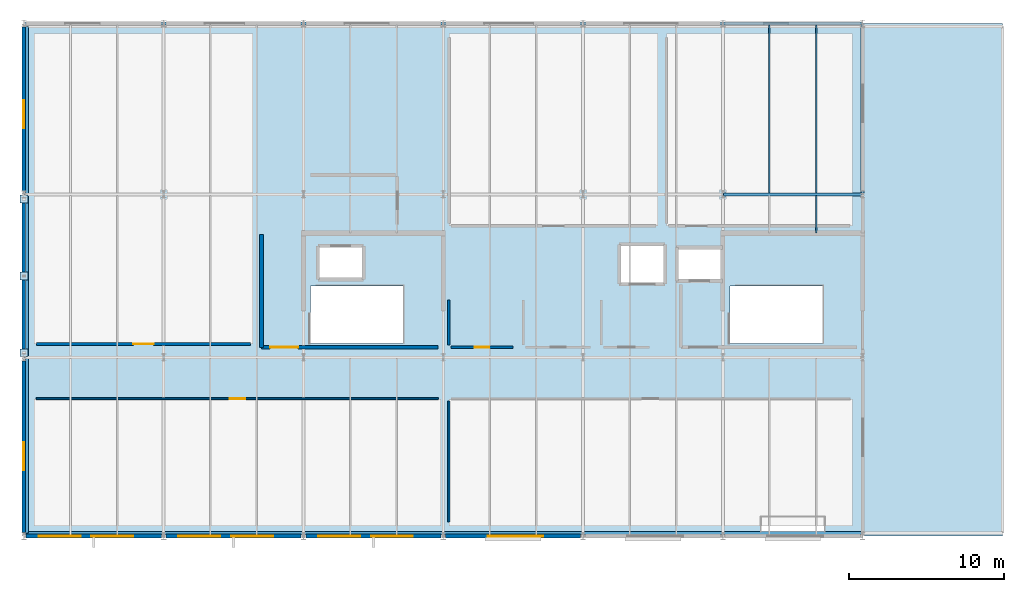
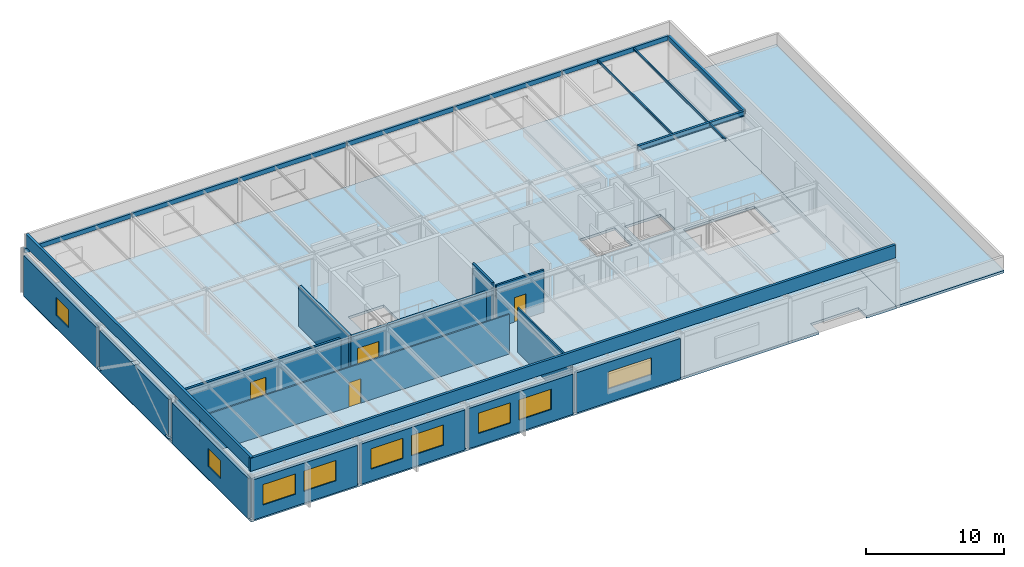
# One storey, part 6 of 14: 16 walls, 11 beams, 9 windows, 4 doors, 3 plates, 2 slabs, 13 openings.
"""IFC4 building model written with IfcOpenShell, lengths in metres."""

import ifcopenshell
import ifcopenshell.guid

model = None  # the IFC model being written
_history = None  # IfcOwnerHistory: only IFC2X3 demands one
_inside = {}  # id of a spatial element -> (the spatial element, [elements in it])
_under = {}  # id of a project, library or spatial element -> (it, [spatial elements below it])
_declared = {}  # id of a project -> (the project, [libraries it declares])
_typed = {}  # id of a type object -> (the type object, [elements of that type])
_made_of = {}  # id of a material, layer set ... -> (it, [elements and type objects made of it])


def new_model(schema):
    """Start an empty IFC model of exactly this schema.

    Asked for "IFC4X3", IfcOpenShell would pick the latest addendum, in which some entities
    have other attributes; the version numbers below select the first issue.
    IFC2X3 requires an IfcOwnerHistory on every rooted entity: one is made here for all.
    """
    global model, _history
    if schema == "IFC4X3":
        model = ifcopenshell.file(schema_version=(4, 3, 0, 0))
    else:
        model = ifcopenshell.file(schema=schema)
    _inside.clear()
    _under.clear()
    _declared.clear()
    _typed.clear()
    _made_of.clear()
    _history = None
    if model.schema == "IFC2X3":
        org = make("IfcOrganization", Name="unknown")
        user = make(
            "IfcPersonAndOrganization",
            ThePerson=make("IfcPerson", FamilyName="unknown"),
            TheOrganization=org,
        )
        app = make(
            "IfcApplication",
            ApplicationDeveloper=org,
            Version="unknown",
            ApplicationFullName="unknown",
            ApplicationIdentifier="unknown",
        )
        _history = make(
            "IfcOwnerHistory",
            OwningUser=user,
            OwningApplication=app,
            ChangeAction="ADDED",
            CreationDate=0,
        )
    return model


def make(cls, **values):
    """One entity of the class cls with the attributes given. An attribute that is None is left unset."""
    return model.create_entity(
        cls, **{name: value for name, value in values.items() if value is not None}
    )


def rooted(cls, **values):
    """An entity with a GlobalId (a new one), such as an element, a storey or a relation."""
    return make(cls, GlobalId=ifcopenshell.guid.new(), OwnerHistory=_history, **values)


def si_unit(unit_type, name, prefix=None):
    """IfcSIUnit, for example si_unit("LENGTHUNIT", "METRE", prefix="MILLI")."""
    return make("IfcSIUnit", UnitType=unit_type, Prefix=prefix, Name=name)


def assignment(units):
    """IfcUnitAssignment: the units of a project."""
    return None if units is None else make("IfcUnitAssignment", Units=units)


def point(xyz):
    """IfcCartesianPoint."""
    return None if xyz is None else make("IfcCartesianPoint", Coordinates=xyz)


def direction(xyz):
    """IfcDirection."""
    return None if xyz is None else make("IfcDirection", DirectionRatios=xyz)


def frame(location, z_axis=None, x_axis=None):
    """IfcAxis2Placement3D, a coordinate frame: its origin and axes. An axis left out is left unset."""
    return make(
        "IfcAxis2Placement3D",
        Location=point(location),
        Axis=direction(z_axis),
        RefDirection=direction(x_axis),
    )


def frame_2d(location, x_axis=None):
    """IfcAxis2Placement2D, a coordinate frame in the plane: its origin and x axis."""
    return make(
        "IfcAxis2Placement2D", Location=point(location), RefDirection=direction(x_axis)
    )


def origin():
    """The frame at (0, 0, 0) with its axes left unset."""
    return frame((0.0, 0.0, 0.0))


def origin_2d():
    """The frame at (0, 0) in the plane with its x axis left unset."""
    return frame_2d((0.0, 0.0))


def place(relative_to, where):
    """IfcLocalPlacement: puts the frame where relative to a parent placement (None: the world)."""
    return make(
        "IfcLocalPlacement", PlacementRelTo=relative_to, RelativePlacement=where
    )


def context(
    kind, dimensions, precision=None, world=None, true_north=None, identifier=None
):
    """IfcGeometricRepresentationContext, for example the 3D "Model" context."""
    return make(
        "IfcGeometricRepresentationContext",
        ContextIdentifier=identifier,
        ContextType=kind,
        CoordinateSpaceDimension=dimensions,
        Precision=precision,
        WorldCoordinateSystem=world,
        TrueNorth=true_north,
    )


def subcontext(parent, identifier, kind, view, scale=None):
    """IfcGeometricRepresentationSubContext, for example "Body" below "Model"."""
    return make(
        "IfcGeometricRepresentationSubContext",
        ContextIdentifier=identifier,
        ContextType=kind,
        ParentContext=parent,
        TargetScale=scale,
        TargetView=view,
    )


def project(units=None, contexts=None):
    """IfcProject with its units and contexts."""
    return rooted(
        "IfcProject",
        Name="project",
        RepresentationContexts=contexts,
        UnitsInContext=assignment(units),
    )


def spatial(cls, under=None, at=None, **own):
    """A site, building, storey or space (cls), placed at a placement, below another one or the project."""
    s = rooted(cls, ObjectPlacement=at, **own)
    if under is not None:
        _under.setdefault(under.id(), (under, []))[1].append(s)
    return s


def polyline(points):
    """IfcPolyline through the points."""
    return make("IfcPolyline", Points=[point(p) for p in points])


def profile(cls, at=None, kind="AREA", **sizes):
    """A parametric profile (cls). Its sizes go by their IFC names, for example OverallWidth=200.0."""
    return make(cls, ProfileType=kind, Position=at, **sizes)


def rectangle(**sizes):
    """IfcRectangleProfileDef."""
    return profile("IfcRectangleProfileDef", **sizes)


def hollow_rectangle(**sizes):
    """IfcRectangleHollowProfileDef."""
    return profile("IfcRectangleHollowProfileDef", **sizes)


def i_section(**sizes):
    """IfcIShapeProfileDef."""
    return profile("IfcIShapeProfileDef", **sizes)


def outline(outer, holes=None, kind="AREA"):
    """IfcArbitraryClosedProfileDef: a profile drawn as a closed curve; with holes, ...WithVoids."""
    if holes is None:
        return make("IfcArbitraryClosedProfileDef", ProfileType=kind, OuterCurve=outer)
    return make(
        "IfcArbitraryProfileDefWithVoids",
        ProfileType=kind,
        OuterCurve=outer,
        InnerCurves=holes,
    )


def extrude(swept, where, along, depth):
    """IfcExtrudedAreaSolid: the profile swept, set in the frame where, extruded along a direction by depth."""
    return make(
        "IfcExtrudedAreaSolid",
        SweptArea=swept,
        Position=where,
        ExtrudedDirection=direction(along),
        Depth=depth,
    )


def shape(context_of_items, identifier, shape_type, items):
    """IfcShapeRepresentation: the items that make up one representation, for example the "Body"."""
    return make(
        "IfcShapeRepresentation",
        ContextOfItems=context_of_items,
        RepresentationIdentifier=identifier,
        RepresentationType=shape_type,
        Items=items,
    )


def material(Name=None, Category=None):
    """IfcMaterial."""
    return make("IfcMaterial", Name=Name, Category=Category)


def layer(
    of_material, thickness, ventilated=None, Name=None, Category=None, Priority=None
):
    """IfcMaterialLayer: one layer of a wall or slab, of a material (None: an air gap)."""
    return make(
        "IfcMaterialLayer",
        Material=of_material,
        LayerThickness=thickness,
        IsVentilated=ventilated,
        Name=Name,
        Category=Category,
        Priority=Priority,
    )


def layer_set(layers, Name=None):
    """IfcMaterialLayerSet."""
    return make("IfcMaterialLayerSet", MaterialLayers=layers, LayerSetName=Name)


def material_profile(
    of_material, cross_section, Name=None, Category=None, Priority=None
):
    """IfcMaterialProfile: a cross section and its material."""
    return make(
        "IfcMaterialProfile",
        Name=Name,
        Material=of_material,
        Profile=cross_section,
        Priority=Priority,
        Category=Category,
    )


def profile_set(profiles, Name=None, composite=None):
    """IfcMaterialProfileSet."""
    return make(
        "IfcMaterialProfileSet",
        Name=Name,
        MaterialProfiles=profiles,
        CompositeProfile=composite,
    )


def made_of(thing, what):
    """Note that an element or type object is made of a material, layer set ...; save() writes the relation."""
    if what is not None:
        _made_of.setdefault(what.id(), (what, []))[1].append(thing)
    return thing


def type_object(cls, material=None, **own):
    """A type object (cls), such as IfcWallType, which elements share."""
    return made_of(rooted(cls, **own), material)


def element(
    cls,
    number,
    at=None,
    inside=None,
    cuts=None,
    type_object=None,
    material=None,
    context=None,
    identifier="Body",
    shape_type=None,
    held_by="IfcProductDefinitionShape",
    body=None,
    shapes=None,
    **own,
):
    """One element of the class cls, such as IfcWall. Its Tag is "e" and its number.

    at: its placement. inside: the storey or other place that contains it. cuts: it is an
    opening in that element (IfcRelVoidsElement). A single representation is given by context,
    identifier, shape_type and body (its items); several are given by shapes. held_by: the class
    of the entity that holds the representations. save() writes the other relations.
    """
    e = rooted(cls, Tag="e%d" % number, ObjectPlacement=at, **own)
    if body is not None:
        shapes = [shape(context, identifier, shape_type, body)]
    if shapes is not None:
        e.Representation = make(held_by, Representations=shapes)
    if inside is not None:
        _inside.setdefault(inside.id(), (inside, []))[1].append(e)
    if cuts is not None:
        rooted(
            "IfcRelVoidsElement", RelatingBuildingElement=cuts, RelatedOpeningElement=e
        )
    if type_object is not None:
        _typed.setdefault(type_object.id(), (type_object, []))[1].append(e)
    return made_of(e, material)


def fill(opening, filler):
    """IfcRelFillsElement: the door or window that sits in an opening."""
    return rooted(
        "IfcRelFillsElement",
        RelatingOpeningElement=opening,
        RelatedBuildingElement=filler,
    )


def aggregate(whole, parts):
    """IfcRelAggregates: a whole, such as a stair, and the parts it consists of."""
    return rooted("IfcRelAggregates", RelatingObject=whole, RelatedObjects=parts)


def save(model, path):
    """Write the relations noted so far, then the file.

    IfcRelAggregates (storeys below a building ...), IfcRelContainedInSpatialStructure (elements
    in a storey), IfcRelDefinesByType, IfcRelAssociatesMaterial and IfcRelDeclares: one each for
    every whole, place, type object, material and project.
    """
    for whole, parts in _under.values():
        aggregate(whole, parts)
    for where, things in _inside.values():
        rooted(
            "IfcRelContainedInSpatialStructure",
            RelatedElements=things,
            RelatingStructure=where,
        )
    for kind, things in _typed.values():
        rooted("IfcRelDefinesByType", RelatedObjects=things, RelatingType=kind)
    for what, things in _made_of.values():
        rooted("IfcRelAssociatesMaterial", RelatedObjects=things, RelatingMaterial=what)
    for by, libraries in _declared.values():
        rooted("IfcRelDeclares", RelatingContext=by, RelatedDefinitions=libraries)
    model.write(path)


model = new_model("IFC4")

# Units and contexts
model_context = context("Model", 3, precision=1e-05, world=origin(), true_north=direction((0.0, 1.0)))
body_context = subcontext(model_context, "Body", "Model", "MODEL_VIEW")
ifc_project = project(units=[si_unit("LENGTHUNIT", "METRE"), si_unit("AREAUNIT", "SQUARE_METRE"), si_unit("VOLUMEUNIT", "CUBIC_METRE"), si_unit("PLANEANGLEUNIT", "RADIAN"), si_unit("MASSUNIT", "GRAM", prefix="KILO")], contexts=[model_context])

# Site, building, storey
site_placement = place(None, origin())
site = spatial("IfcSite", under=ifc_project, at=site_placement, CompositionType="ELEMENT")
building_placement = place(site_placement, origin())
building = spatial("IfcBuilding", under=site, at=building_placement, Name="Marlcrest Central Station", CompositionType="ELEMENT")
storey_placement = place(building_placement, frame((0.0, 0.0, 24.0)))
storey = spatial("IfcBuildingStorey", under=building, at=storey_placement, Name="L05", CompositionType="ELEMENT", Elevation=24.0)

# Beams
ifc_material_1 = material(Name="Steel S355", Category="steel")
ifc_material_profile_1 = material_profile(ifc_material_1, i_section(OverallWidth=0.18994140625, OverallDepth=0.449951171875, WebThickness=0.009521484375, FlangeThickness=0.0146484375, FilletRadius=0.02099609375, at=origin_2d()), Name="IPE 450")
ifc_profile_set_1 = profile_set([ifc_material_profile_1], Name="Steel S355")
beam_type_1 = type_object("IfcBeamType", Name="BM-04", PredefinedType="BEAM", material=ifc_profile_set_1)
beam_1_placement = place(storey_placement, frame((45.050048828125, 121.0, 3.7548828125), z_axis=(1.0, 0.0, 0.0), x_axis=(0.0, 1.0, 0.0)))
element("IfcBeam", 1, at=beam_1_placement, inside=storey, type_object=beam_type_1, Name="bm-BM-04-L05-00686", PredefinedType="BEAM", context=body_context, shape_type="SweptSolid", body=[
    extrude(i_section(OverallWidth=0.18994140625, OverallDepth=0.449951171875, WebThickness=0.009521484375, FlangeThickness=0.0146484375, FilletRadius=0.02099609375, at=origin_2d()), origin(), (0.0, 0.0, 1.0), 8.89990234375),
])
ifc_material_profile_2 = material_profile(ifc_material_1, i_section(OverallWidth=0.10009765625, OverallDepth=0.199951171875, WebThickness=0.005615234375, FlangeThickness=0.008544921875, FilletRadius=0.011962890625, at=origin_2d()), Name="IPE 200")
ifc_profile_set_2 = profile_set([ifc_material_profile_2], Name="Steel S355")
beam_type_2 = type_object("IfcBeamType", Name="JS-01", PredefinedType="JOIST", material=ifc_profile_set_2)
beam_2_placement = place(storey_placement, frame((48.0, 121.080078125, 3.8798828125), z_axis=(0.0, 1.0, 0.0), x_axis=(-1.0, 0.0, 0.0)))
element("IfcBeam", 2, at=beam_2_placement, inside=storey, type_object=beam_type_2, Name="bm-JS-01-L05-00746", PredefinedType="JOIST", context=body_context, shape_type="SweptSolid", body=[
    extrude(i_section(OverallWidth=0.10009765625, OverallDepth=0.199951171875, WebThickness=0.005615234375, FlangeThickness=0.008544921875, FilletRadius=0.011962890625, at=origin_2d()), origin(), (0.0, 0.0, 1.0), 10.824951171875),
])
beam_3_placement = place(storey_placement, frame((51.0, 118.52001953125, 3.8798828125), z_axis=(0.0, 1.0, 0.0), x_axis=(-1.0, 0.0, 0.0)))
element("IfcBeam", 3, at=beam_3_placement, inside=storey, type_object=beam_type_2, Name="bm-JS-01-L05-00748", PredefinedType="JOIST", context=body_context, shape_type="SweptSolid", body=[
    extrude(i_section(OverallWidth=0.10009765625, OverallDepth=0.199951171875, WebThickness=0.005615234375, FlangeThickness=0.008544921875, FilletRadius=0.011962890625, at=origin_2d()), origin(), (0.0, 0.0, 1.0), 2.39990234375),
])
beam_4_placement = place(storey_placement, frame((51.0, 121.080078125, 3.8798828125), z_axis=(0.0, 1.0, 0.0), x_axis=(-1.0, 0.0, 0.0)))
element("IfcBeam", 4, at=beam_4_placement, inside=storey, type_object=beam_type_2, Name="bm-JS-01-L05-00749", PredefinedType="JOIST", context=body_context, shape_type="SweptSolid", body=[
    extrude(i_section(OverallWidth=0.10009765625, OverallDepth=0.199951171875, WebThickness=0.005615234375, FlangeThickness=0.008544921875, FilletRadius=0.011962890625, at=origin_2d()), origin(), (0.0, 0.0, 1.0), 10.824951171875),
])
ifc_material_profile_3 = material_profile(ifc_material_1, hollow_rectangle(XDim=0.199951171875, YDim=0.39990234375, WallThickness=0.01611328125, at=origin_2d()), Name="RHS 400x200x16")
ifc_profile_set_3 = profile_set([ifc_material_profile_3], Name="Steel S355")
beam_type_3 = type_object("IfcBeamType", Name="SP-01", PredefinedType="SPANDREL", material=ifc_profile_set_3)
for number, where, z_axis, x_axis, name in (
    (5, (0.050048828125, 132.0, 3.780029296875), (1.0, 0.0, 0.0), (0.0, 1.0, 0.0), "bm-SP-01-L05-00687"),
    (6, (9.050048828125, 132.0, 3.780029296875), (1.0, 0.0, 0.0), (0.0, 1.0, 0.0), "bm-SP-01-L05-00688"),
    (7, (18.050048828125, 132.0, 3.780029296875), (1.0, 0.0, 0.0), (0.0, 1.0, 0.0), "bm-SP-01-L05-00689"),
    (8, (27.050048828125, 132.0, 3.780029296875), (1.0, 0.0, 0.0), (0.0, 1.0, 0.0), "bm-SP-01-L05-00690"),
    (9, (36.050048828125, 132.0, 3.780029296875), (1.0, 0.0, 0.0), (0.0, 1.0, 0.0), "bm-SP-01-L05-00691"),
    (10, (45.050048828125, 132.0, 3.780029296875), (1.0, 0.0, 0.0), (0.0, 1.0, 0.0), "bm-SP-01-L05-00692"),
):
    element("IfcBeam", number, at=place(storey_placement, frame(where, z_axis=z_axis, x_axis=x_axis)), inside=storey, type_object=beam_type_3, Name=name, PredefinedType="SPANDREL", context=body_context, shape_type="SweptSolid", body=[
        extrude(hollow_rectangle(XDim=0.199951171875, YDim=0.39990234375, WallThickness=0.01611328125, at=origin_2d()), origin(), (0.0, 0.0, 1.0), 8.89990234375),
    ])
beam_5_placement = place(storey_placement, frame((54.0, 121.050048828125, 3.780029296875), z_axis=(0.0, 1.0, 0.0), x_axis=(-1.0, 0.0, 0.0)))
element("IfcBeam", 11, at=beam_5_placement, inside=storey, type_object=beam_type_3, Name="bm-SP-01-L05-00713", PredefinedType="SPANDREL", context=body_context, shape_type="SweptSolid", body=[
    extrude(hollow_rectangle(XDim=0.199951171875, YDim=0.39990234375, WallThickness=0.01611328125, at=origin_2d()), origin(), (0.0, 0.0, 1.0), 10.89990234375),
])

# Slab
ifc_material_2 = material(Name="Concrete C35/45", Category="concrete")
ifc_layer_1 = layer(ifc_material_2, 0.22509765625, Name="FS-05")
ifc_layer_set_1 = layer_set([ifc_layer_1], Name="Concrete C35/45")
slab_type_1 = type_object("IfcSlabType", Name="FS-05", PredefinedType="FLOOR", material=ifc_layer_set_1)
slab_1_placement = place(storey_placement, frame((0.0, 0.0, -0.22509765625)))
element("IfcSlab", 12, at=slab_1_placement, inside=storey, type_object=slab_type_1, Name="slab-L05-0009", PredefinedType="FLOOR", context=body_context, shape_type="SweptSolid", body=[
    extrude(outline(polyline([(0.0, 99.0), (47.5, 99.0), (47.5, 100.199951171875), (51.5, 100.199951171875), (51.5, 99.0), (54.0, 99.0), (54.0, 132.0), (0.0, 132.0), (0.0, 99.0)]), holes=[polyline([(18.449951171875, 111.39990234375), (24.39990234375, 111.39990234375), (24.39990234375, 115.10009765625), (18.449951171875, 115.10009765625), (18.449951171875, 111.39990234375)]), polyline([(18.919921875, 115.52001953125), (21.8798828125, 115.52001953125), (21.8798828125, 117.679931640625), (18.919921875, 117.679931640625), (18.919921875, 115.52001953125)]), polyline([(45.449951171875, 111.39990234375), (51.39990234375, 111.39990234375), (51.39990234375, 115.10009765625), (45.449951171875, 115.10009765625), (45.449951171875, 111.39990234375)]), polyline([(42.02001953125, 115.419921875), (44.97998046875, 115.419921875), (44.97998046875, 117.580078125), (42.02001953125, 117.580078125), (42.02001953125, 115.419921875)]), polyline([(38.320068359375, 115.219970703125), (41.280029296875, 115.219970703125), (41.280029296875, 117.780029296875), (38.320068359375, 117.780029296875), (38.320068359375, 115.219970703125)])]), origin(), (0.0, 0.0, 1.0), 0.22509765625),
])

# Plates
ifc_layer_2 = layer(ifc_material_1, 0.02001953125, Name="GP-03")
ifc_layer_set_2 = layer_set([ifc_layer_2], Name="Steel S355")
plate_type = type_object("IfcPlateType", Name="GP-03", PredefinedType="USERDEFINED", material=ifc_layer_set_2)
for number, where, z_axis, x_axis, name in (
    (13, (0.0, 110.800048828125, 0.239990234375), (0.0, 0.0, 1.0), (1.0, 0.0, 0.0), "plt-cap-00056"),
    (14, (0.0, 115.75, 3.719970703125), (0.0, 0.0, 1.0), (1.0, 0.0, 0.0), "plt-cap-00057"),
    (15, (0.0, 120.699951171875, 0.239990234375), (0.0, 0.0, 1.0), (1.0, 0.0, 0.0), "plt-cap-00058"),
):
    element("IfcPlate", number, at=place(storey_placement, frame(where, z_axis=z_axis, x_axis=x_axis)), inside=storey, type_object=plate_type, Name=name, ObjectType="GUSSET_PLATE", PredefinedType="USERDEFINED", context=body_context, shape_type="SweptSolid", body=[
        extrude(rectangle(XDim=0.5, YDim=0.5, at=origin_2d()), origin(), (0.0, 0.0, 1.0), 0.02001953125),
    ])

# Slab
ifc_material_3 = material(Name="Concrete C40/50", Category="concrete")
ifc_layer_3 = layer(ifc_material_3, 0.219970703125, Name="RS-01")
ifc_layer_set_3 = layer_set([ifc_layer_3], Name="Concrete C40/50")
slab_type_2 = type_object("IfcSlabType", Name="RS-01", PredefinedType="ROOF", material=ifc_layer_set_3)
slab_2_placement = place(storey_placement, frame((0.0, 0.0, -0.219970703125)))
element("IfcSlab", 16, at=slab_2_placement, inside=storey, type_object=slab_type_2, Name="slab-L05-0010", PredefinedType="ROOF", context=body_context, shape_type="SweptSolid", body=[
    extrude(outline(polyline([(63.0, 132.0), (63.0, 99.0), (54.0, 99.0), (54.0, 132.0), (63.0, 132.0)])), origin(), (0.0, 0.0, 1.0), 0.219970703125),
])

# Walls
ifc_layer_4 = layer(ifc_material_3, 0.199951171875, Name="EP-01")
ifc_layer_set_4 = layer_set([ifc_layer_4], Name="Concrete C40/50")
wall_type_1 = type_object("IfcWallType", Name="EP-01", PredefinedType="PARAPET", material=ifc_layer_set_4)
wall_1_placement = place(storey_placement, frame((54.0, 99.199951171875, 4.199951171875), z_axis=(0.0, 0.0, 1.0), x_axis=(-1.0, 0.0, 0.0)))
element("IfcWall", 17, at=wall_1_placement, inside=storey, type_object=wall_type_1, Name="ewall-L05-0211", PredefinedType="PARAPET", context=body_context, shape_type="SweptSolid", body=[
    extrude(rectangle(XDim=54.0, YDim=0.199951171875, at=frame_2d((27.0, 0.0))), origin(), (0.0, 0.0, 1.0), 1.150146484375),
])
wall_2_placement = place(storey_placement, frame((0.199951171875, 99.199951171875, 4.199951171875), z_axis=(0.0, 0.0, 1.0), x_axis=(0.0, 1.0, 0.0)))
element("IfcWall", 18, at=wall_2_placement, inside=storey, type_object=wall_type_1, Name="ewall-L05-0214", PredefinedType="PARAPET", context=body_context, shape_type="SweptSolid", body=[
    extrude(rectangle(XDim=32.60009765625, YDim=0.199951171875, at=frame_2d((16.300048828125, 0.0))), origin(), (0.0, 0.0, 1.0), 1.150146484375),
])

# Wall, openings, windows
ifc_material_4 = material(Name="Precast concrete C40/50", Category="concrete")
ifc_layer_5 = layer(ifc_material_4, 0.239990234375, Name="EW-04")
ifc_layer_set_5 = layer_set([ifc_layer_5], Name="Precast concrete C40/50")
wall_type_2 = type_object("IfcWallType", Name="EW-04", PredefinedType="SOLIDWALL", material=ifc_layer_set_5)
wall_3_placement = place(storey_placement, frame((8.85009765625, 99.0, 0.0), z_axis=(0.0, 0.0, 1.0), x_axis=(-1.0, 0.0, 0.0)))
wall_3 = element("IfcWall", 19, at=wall_3_placement, inside=storey, type_object=wall_type_2, Name="ewall-L05-0186", PredefinedType="SOLIDWALL", context=body_context, shape_type="SweptSolid", body=[
    extrude(rectangle(XDim=8.7001953125, YDim=0.239990234375, at=frame_2d((4.35009765625, 0.0))), origin(), (0.0, 0.0, 1.0), 3.550048828125),
])
opening_1_placement = place(wall_3_placement, frame((1.800048828125, 0.0, 1.050048828125)))
opening_1 = element("IfcOpeningElement", 20, at=opening_1_placement, cuts=wall_3, Name="Opening WN-06", PredefinedType="OPENING", context=body_context, shape_type="SweptSolid", body=[
    extrude(rectangle(XDim=2.699951171875, YDim=1.800048828125, at=frame_2d((1.35009765625, 0.89990234375))), frame((0.0, 0.1298828125, 0.0), z_axis=(0.0, -1.0, 0.0), x_axis=(1.0, 0.0, 0.0)), (0.0, 0.0, 1.0), 0.260009765625),
])
opening_2_placement = place(wall_3_placement, frame((5.199951171875, 0.0, 1.050048828125)))
opening_2 = element("IfcOpeningElement", 21, at=opening_2_placement, cuts=wall_3, Name="Opening WN-06", PredefinedType="OPENING", context=body_context, shape_type="SweptSolid", body=[
    extrude(rectangle(XDim=2.699951171875, YDim=1.800048828125, at=frame_2d((1.35009765625, 0.89990234375))), frame((0.0, 0.1298828125, 0.0), z_axis=(0.0, -1.0, 0.0), x_axis=(1.0, 0.0, 0.0)), (0.0, 0.0, 1.0), 0.260009765625),
])
ifc_material_5 = material(Name="Thermally broken bronze-anodised aluminium and laminated low-E glass", Category="aluminium")
window_type_1 = type_object("IfcWindowType", Name="WN-06", PartitioningType="SINGLE_PANEL", PredefinedType="WINDOW", material=ifc_material_5)
window_1_placement = place(opening_1_placement, origin())
window_1 = element("IfcWindow", 22, at=window_1_placement, inside=storey, type_object=window_type_1, Name="ewin-L05-0149", OverallHeight=1.800048828125, OverallWidth=2.699951171875, PartitioningType="SINGLE_PANEL", PredefinedType="WINDOW", context=body_context, shape_type="SweptSolid", body=[
    extrude(rectangle(XDim=2.699951171875, YDim=1.800048828125, at=frame_2d((1.35009765625, 0.89990234375))), frame((0.0, 0.030029296875, 0.0), z_axis=(0.0, -1.0, 0.0), x_axis=(1.0, 0.0, 0.0)), (0.0, 0.0, 1.0), 0.06005859375),
])
fill(opening_1, window_1)
window_2_placement = place(opening_2_placement, origin())
window_2 = element("IfcWindow", 23, at=window_2_placement, inside=storey, type_object=window_type_1, Name="ewin-L05-0150", OverallHeight=1.800048828125, OverallWidth=2.699951171875, PartitioningType="SINGLE_PANEL", PredefinedType="WINDOW", context=body_context, shape_type="SweptSolid", body=[
    extrude(rectangle(XDim=2.699951171875, YDim=1.800048828125, at=frame_2d((1.35009765625, 0.89990234375))), frame((0.0, 0.030029296875, 0.0), z_axis=(0.0, -1.0, 0.0), x_axis=(1.0, 0.0, 0.0)), (0.0, 0.0, 1.0), 0.06005859375),
])
fill(opening_2, window_2)

wall_4_placement = place(storey_placement, frame((17.85009765625, 99.0, 0.0), z_axis=(0.0, 0.0, 1.0), x_axis=(-1.0, 0.0, 0.0)))
wall_4 = element("IfcWall", 24, at=wall_4_placement, inside=storey, type_object=wall_type_2, Name="ewall-L05-0188", PredefinedType="SOLIDWALL", context=body_context, shape_type="SweptSolid", body=[
    extrude(rectangle(XDim=8.7001953125, YDim=0.239990234375, at=frame_2d((4.35009765625, 0.0))), origin(), (0.0, 0.0, 1.0), 3.550048828125),
])
opening_3_placement = place(wall_4_placement, frame((1.800048828125, 0.0, 1.050048828125)))
opening_3 = element("IfcOpeningElement", 25, at=opening_3_placement, cuts=wall_4, Name="Opening WN-06", PredefinedType="OPENING", context=body_context, shape_type="SweptSolid", body=[
    extrude(rectangle(XDim=2.699951171875, YDim=1.800048828125, at=frame_2d((1.35009765625, 0.89990234375))), frame((0.0, 0.1298828125, 0.0), z_axis=(0.0, -1.0, 0.0), x_axis=(1.0, 0.0, 0.0)), (0.0, 0.0, 1.0), 0.260009765625),
])
opening_4_placement = place(wall_4_placement, frame((5.199951171875, 0.0, 1.050048828125)))
opening_4 = element("IfcOpeningElement", 26, at=opening_4_placement, cuts=wall_4, Name="Opening WN-06", PredefinedType="OPENING", context=body_context, shape_type="SweptSolid", body=[
    extrude(rectangle(XDim=2.699951171875, YDim=1.800048828125, at=frame_2d((1.35009765625, 0.89990234375))), frame((0.0, 0.1298828125, 0.0), z_axis=(0.0, -1.0, 0.0), x_axis=(1.0, 0.0, 0.0)), (0.0, 0.0, 1.0), 0.260009765625),
])
window_3_placement = place(opening_3_placement, origin())
window_3 = element("IfcWindow", 27, at=window_3_placement, inside=storey, type_object=window_type_1, Name="ewin-L05-0152", OverallHeight=1.800048828125, OverallWidth=2.699951171875, PartitioningType="SINGLE_PANEL", PredefinedType="WINDOW", context=body_context, shape_type="SweptSolid", body=[
    extrude(rectangle(XDim=2.699951171875, YDim=1.800048828125, at=frame_2d((1.35009765625, 0.89990234375))), frame((0.0, 0.030029296875, 0.0), z_axis=(0.0, -1.0, 0.0), x_axis=(1.0, 0.0, 0.0)), (0.0, 0.0, 1.0), 0.06005859375),
])
fill(opening_3, window_3)
window_4_placement = place(opening_4_placement, origin())
window_4 = element("IfcWindow", 28, at=window_4_placement, inside=storey, type_object=window_type_1, Name="ewin-L05-0153", OverallHeight=1.800048828125, OverallWidth=2.699951171875, PartitioningType="SINGLE_PANEL", PredefinedType="WINDOW", context=body_context, shape_type="SweptSolid", body=[
    extrude(rectangle(XDim=2.699951171875, YDim=1.800048828125, at=frame_2d((1.35009765625, 0.89990234375))), frame((0.0, 0.030029296875, 0.0), z_axis=(0.0, -1.0, 0.0), x_axis=(1.0, 0.0, 0.0)), (0.0, 0.0, 1.0), 0.06005859375),
])
fill(opening_4, window_4)

wall_5_placement = place(storey_placement, frame((26.85009765625, 99.0, 0.0), z_axis=(0.0, 0.0, 1.0), x_axis=(-1.0, 0.0, 0.0)))
wall_5 = element("IfcWall", 29, at=wall_5_placement, inside=storey, type_object=wall_type_2, Name="ewall-L05-0190", PredefinedType="SOLIDWALL", context=body_context, shape_type="SweptSolid", body=[
    extrude(rectangle(XDim=8.7001953125, YDim=0.239990234375, at=frame_2d((4.35009765625, 0.0))), origin(), (0.0, 0.0, 1.0), 3.550048828125),
])
opening_5_placement = place(wall_5_placement, frame((1.800048828125, 0.0, 1.050048828125)))
opening_5 = element("IfcOpeningElement", 30, at=opening_5_placement, cuts=wall_5, Name="Opening WN-06", PredefinedType="OPENING", context=body_context, shape_type="SweptSolid", body=[
    extrude(rectangle(XDim=2.699951171875, YDim=1.800048828125, at=frame_2d((1.35009765625, 0.89990234375))), frame((0.0, 0.1298828125, 0.0), z_axis=(0.0, -1.0, 0.0), x_axis=(1.0, 0.0, 0.0)), (0.0, 0.0, 1.0), 0.260009765625),
])
opening_6_placement = place(wall_5_placement, frame((5.199951171875, 0.0, 1.050048828125)))
opening_6 = element("IfcOpeningElement", 31, at=opening_6_placement, cuts=wall_5, Name="Opening WN-06", PredefinedType="OPENING", context=body_context, shape_type="SweptSolid", body=[
    extrude(rectangle(XDim=2.699951171875, YDim=1.800048828125, at=frame_2d((1.35009765625, 0.89990234375))), frame((0.0, 0.1298828125, 0.0), z_axis=(0.0, -1.0, 0.0), x_axis=(1.0, 0.0, 0.0)), (0.0, 0.0, 1.0), 0.260009765625),
])
window_5_placement = place(opening_5_placement, origin())
window_5 = element("IfcWindow", 32, at=window_5_placement, inside=storey, type_object=window_type_1, Name="ewin-L05-0155", OverallHeight=1.800048828125, OverallWidth=2.699951171875, PartitioningType="SINGLE_PANEL", PredefinedType="WINDOW", context=body_context, shape_type="SweptSolid", body=[
    extrude(rectangle(XDim=2.699951171875, YDim=1.800048828125, at=frame_2d((1.35009765625, 0.89990234375))), frame((0.0, 0.030029296875, 0.0), z_axis=(0.0, -1.0, 0.0), x_axis=(1.0, 0.0, 0.0)), (0.0, 0.0, 1.0), 0.06005859375),
])
fill(opening_5, window_5)
window_6_placement = place(opening_6_placement, origin())
window_6 = element("IfcWindow", 33, at=window_6_placement, inside=storey, type_object=window_type_1, Name="ewin-L05-0156", OverallHeight=1.800048828125, OverallWidth=2.699951171875, PartitioningType="SINGLE_PANEL", PredefinedType="WINDOW", context=body_context, shape_type="SweptSolid", body=[
    extrude(rectangle(XDim=2.699951171875, YDim=1.800048828125, at=frame_2d((1.35009765625, 0.89990234375))), frame((0.0, 0.030029296875, 0.0), z_axis=(0.0, -1.0, 0.0), x_axis=(1.0, 0.0, 0.0)), (0.0, 0.0, 1.0), 0.06005859375),
])
fill(opening_6, window_6)

# Wall, opening, window
wall_6_placement = place(storey_placement, frame((35.85009765625, 99.0, 0.0), z_axis=(0.0, 0.0, 1.0), x_axis=(-1.0, 0.0, 0.0)))
wall_6 = element("IfcWall", 34, at=wall_6_placement, inside=storey, type_object=wall_type_2, Name="ewall-L05-0192", PredefinedType="SOLIDWALL", context=body_context, shape_type="SweptSolid", body=[
    extrude(rectangle(XDim=8.7001953125, YDim=0.239990234375, at=frame_2d((4.35009765625, 0.0))), origin(), (0.0, 0.0, 1.0), 3.550048828125),
])
opening_7_placement = place(wall_6_placement, frame((2.39990234375, 0.0, 1.199951171875)))
opening_7 = element("IfcOpeningElement", 35, at=opening_7_placement, cuts=wall_6, Name="Opening WN-11", PredefinedType="OPENING", context=body_context, shape_type="SweptSolid", body=[
    extrude(rectangle(XDim=3.60009765625, YDim=1.5, at=frame_2d((1.800048828125, 0.75))), frame((0.0, 0.1298828125, 0.0), z_axis=(0.0, -1.0, 0.0), x_axis=(1.0, 0.0, 0.0)), (0.0, 0.0, 1.0), 0.260009765625),
])
window_type_2 = type_object("IfcWindowType", Name="WN-11", PartitioningType="SINGLE_PANEL", PredefinedType="WINDOW", material=ifc_material_5)
window_7_placement = place(opening_7_placement, origin())
window_7 = element("IfcWindow", 36, at=window_7_placement, inside=storey, type_object=window_type_2, Name="ewin-L05-0158", OverallHeight=1.5, OverallWidth=3.60009765625, PartitioningType="SINGLE_PANEL", PredefinedType="WINDOW", context=body_context, shape_type="SweptSolid", body=[
    extrude(rectangle(XDim=3.60009765625, YDim=1.5, at=frame_2d((1.800048828125, 0.75))), frame((0.0, 0.030029296875, 0.0), z_axis=(0.0, -1.0, 0.0), x_axis=(1.0, 0.0, 0.0)), (0.0, 0.0, 1.0), 0.06005859375),
])
fill(opening_7, window_7)

wall_7_placement = place(storey_placement, frame((0.0, 99.22509765625, 0.0), z_axis=(0.0, 0.0, 1.0), x_axis=(0.0, 1.0, 0.0)))
wall_7 = element("IfcWall", 37, at=wall_7_placement, inside=storey, type_object=wall_type_2, Name="ewall-L05-0198", PredefinedType="SOLIDWALL", context=body_context, shape_type="SweptSolid", body=[
    extrude(rectangle(XDim=11.0498046875, YDim=0.239990234375, at=frame_2d((5.52490234375, 0.0))), origin(), (0.0, 0.0, 1.0), 3.550048828125),
])
opening_8_placement = place(wall_7_placement, frame((4.02490234375, 0.0, 1.10009765625)))
opening_8 = element("IfcOpeningElement", 38, at=opening_8_placement, cuts=wall_7, Name="Opening WN-01", PredefinedType="OPENING", context=body_context, shape_type="SweptSolid", body=[
    extrude(rectangle(XDim=1.800048828125, YDim=1.60009765625, at=frame_2d((0.89990234375, 0.800048828125))), frame((0.0, 0.1298828125, 0.0), z_axis=(0.0, -1.0, 0.0), x_axis=(1.0, 0.0, 0.0)), (0.0, 0.0, 1.0), 0.260009765625),
])
window_type_3 = type_object("IfcWindowType", Name="WN-01", PartitioningType="SINGLE_PANEL", PredefinedType="WINDOW", material=ifc_material_5)
window_8_placement = place(opening_8_placement, origin())
window_8 = element("IfcWindow", 39, at=window_8_placement, inside=storey, type_object=window_type_3, Name="ewin-L05-0164", OverallHeight=1.60009765625, OverallWidth=1.800048828125, PartitioningType="SINGLE_PANEL", PredefinedType="WINDOW", context=body_context, shape_type="SweptSolid", body=[
    extrude(rectangle(XDim=1.800048828125, YDim=1.60009765625, at=frame_2d((0.89990234375, 0.800048828125))), frame((0.0, 0.030029296875, 0.0), z_axis=(0.0, -1.0, 0.0), x_axis=(1.0, 0.0, 0.0)), (0.0, 0.0, 1.0), 0.06005859375),
])
fill(opening_8, window_8)

# Wall
wall_8_placement = place(storey_placement, frame((0.0, 110.72509765625, 0.0), z_axis=(0.0, 0.0, 1.0), x_axis=(0.0, 1.0, 0.0)))
element("IfcWall", 40, at=wall_8_placement, inside=storey, type_object=wall_type_2, Name="ewall-L05-0199", PredefinedType="SOLIDWALL", context=body_context, shape_type="SweptSolid", body=[
    extrude(rectangle(XDim=10.0498046875, YDim=0.239990234375, at=frame_2d((5.02490234375, 0.0))), origin(), (0.0, 0.0, 1.0), 3.550048828125),
])

# Wall, opening, window
wall_9_placement = place(storey_placement, frame((0.0, 121.22509765625, 0.0), z_axis=(0.0, 0.0, 1.0), x_axis=(0.0, 1.0, 0.0)))
wall_9 = element("IfcWall", 41, at=wall_9_placement, inside=storey, type_object=wall_type_2, Name="ewall-L05-0200", PredefinedType="SOLIDWALL", context=body_context, shape_type="SweptSolid", body=[
    extrude(rectangle(XDim=10.5498046875, YDim=0.239990234375, at=frame_2d((5.27490234375, 0.0))), origin(), (0.0, 0.0, 1.0), 3.550048828125),
])
opening_9_placement = place(wall_9_placement, frame((4.02490234375, 0.0, 1.10009765625)))
opening_9 = element("IfcOpeningElement", 42, at=opening_9_placement, cuts=wall_9, Name="Opening WN-01", PredefinedType="OPENING", context=body_context, shape_type="SweptSolid", body=[
    extrude(rectangle(XDim=1.800048828125, YDim=1.60009765625, at=frame_2d((0.89990234375, 0.800048828125))), frame((0.0, 0.1298828125, 0.0), z_axis=(0.0, -1.0, 0.0), x_axis=(1.0, 0.0, 0.0)), (0.0, 0.0, 1.0), 0.260009765625),
])
window_9_placement = place(opening_9_placement, origin())
window_9 = element("IfcWindow", 43, at=window_9_placement, inside=storey, type_object=window_type_3, Name="ewin-L05-0165", OverallHeight=1.60009765625, OverallWidth=1.800048828125, PartitioningType="SINGLE_PANEL", PredefinedType="WINDOW", context=body_context, shape_type="SweptSolid", body=[
    extrude(rectangle(XDim=1.800048828125, YDim=1.60009765625, at=frame_2d((0.89990234375, 0.800048828125))), frame((0.0, 0.030029296875, 0.0), z_axis=(0.0, -1.0, 0.0), x_axis=(1.0, 0.0, 0.0)), (0.0, 0.0, 1.0), 0.06005859375),
])
fill(opening_9, window_9)

# Wall, opening, door
ifc_material_6 = material(Name="Acoustic steel-stud gypsum board partition", Category="steel")
ifc_layer_6 = layer(ifc_material_6, 0.1201171875, Name="PT-01")
ifc_layer_set_6 = layer_set([ifc_layer_6], Name="Acoustic steel-stud gypsum board partition")
wall_type_3 = type_object("IfcWallType", Name="PT-01", PredefinedType="PARTITIONING", material=ifc_layer_set_6)
wall_10_placement = place(storey_placement, frame((0.81005859375, 107.840087890625, 0.0), z_axis=(0.0, 0.0, 1.0), x_axis=(1.0, 0.0, 0.0)))
wall_10 = element("IfcWall", 44, at=wall_10_placement, inside=storey, type_object=wall_type_3, Name="iwall-L05-00207", PredefinedType="PARTITIONING", context=body_context, shape_type="SweptSolid", body=[
    extrude(rectangle(XDim=25.8798828125, YDim=0.1201171875, at=frame_2d((12.93994140625, 0.0))), origin(), (0.0, 0.0, 1.0), 3.5),
])
opening_10_placement = place(wall_10_placement, frame((12.43994140625, 0.0, 0.0)))
opening_10 = element("IfcOpeningElement", 45, at=opening_10_placement, cuts=wall_10, Name="Opening ID-02", PredefinedType="OPENING", context=body_context, shape_type="SweptSolid", body=[
    extrude(rectangle(XDim=1.0, YDim=2.14990234375, at=frame_2d((0.5, 1.074951171875))), frame((0.0, 0.070068359375, 0.0), z_axis=(0.0, -1.0, 0.0), x_axis=(1.0, 0.0, 0.0)), (0.0, 0.0, 1.0), 0.14013671875),
])
ifc_material_7 = material(Name="Solid-core hardwood office door", Category="wood")
door_type_1 = type_object("IfcDoorType", Name="ID-02", OperationType="NOTDEFINED", PredefinedType="DOOR", material=ifc_material_7)
door_1_placement = place(opening_10_placement, origin())
door_1 = element("IfcDoor", 46, at=door_1_placement, inside=storey, type_object=door_type_1, Name="L05-V5A 0117", OperationType="SINGLE_SWING_LEFT", OverallHeight=2.14990234375, OverallWidth=1.0, PredefinedType="DOOR", context=body_context, shape_type="SweptSolid", body=[
    extrude(rectangle(XDim=1.0, YDim=2.14990234375, at=frame_2d((0.5, 1.074951171875))), frame((0.0, 0.02490234375, 0.0), z_axis=(0.0, -1.0, 0.0), x_axis=(1.0, 0.0, 0.0)), (0.0, 0.0, 1.0), 0.050048828125),
])
fill(opening_10, door_1)

# Wall
wall_11_placement = place(storey_placement, frame((27.360107421875, 99.909912109375, 0.0), z_axis=(0.0, 0.0, 1.0), x_axis=(0.0, 1.0, 0.0)))
element("IfcWall", 47, at=wall_11_placement, inside=storey, type_object=wall_type_3, Name="iwall-L05-00209", PredefinedType="PARTITIONING", context=body_context, shape_type="SweptSolid", body=[
    extrude(rectangle(XDim=7.780029296875, YDim=0.1201171875, at=frame_2d((3.89013671875, 0.0))), origin(), (0.0, 0.0, 1.0), 3.949951171875),
])

# Wall, opening, door
ifc_material_8 = material(Name="Moisture-resistant tiled sanitary partition")
ifc_layer_7 = layer(ifc_material_8, 0.159912109375, Name="PT-03")
ifc_layer_set_7 = layer_set([ifc_layer_7], Name="Moisture-resistant tiled sanitary partition")
wall_type_4 = type_object("IfcWallType", Name="PT-03", PredefinedType="PARTITIONING", material=ifc_layer_set_7)
wall_12_placement = place(storey_placement, frame((31.489990234375, 111.159912109375, 0.0), z_axis=(0.0, 0.0, 1.0), x_axis=(-1.0, 0.0, 0.0)))
wall_12 = element("IfcWall", 48, at=wall_12_placement, inside=storey, type_object=wall_type_4, Name="iwall-L05-00217", PredefinedType="PARTITIONING", context=body_context, shape_type="SweptSolid", body=[
    extrude(rectangle(XDim=3.97998046875, YDim=0.159912109375, at=frame_2d((1.989990234375, 0.0))), origin(), (0.0, 0.0, 1.0), 3.75),
])
opening_11_placement = place(wall_12_placement, frame((1.514892578125, 0.0, 0.0)))
opening_11 = element("IfcOpeningElement", 49, at=opening_11_placement, cuts=wall_12, Name="Opening ID-01", PredefinedType="OPENING", context=body_context, shape_type="SweptSolid", body=[
    extrude(rectangle(XDim=0.949951171875, YDim=2.14990234375, at=frame_2d((0.47509765625, 1.074951171875))), frame((0.0, 0.08984375, 0.0), z_axis=(0.0, -1.0, 0.0), x_axis=(1.0, 0.0, 0.0)), (0.0, 0.0, 1.0), 0.179931640625),
])
ifc_material_9 = material(Name="Solid-core hardwood acoustic door", Category="wood")
door_type_2 = type_object("IfcDoorType", Name="ID-01", OperationType="NOTDEFINED", PredefinedType="DOOR", material=ifc_material_9)
door_2_placement = place(opening_11_placement, origin())
door_2 = element("IfcDoor", 50, at=door_2_placement, inside=storey, type_object=door_type_2, Name="L05-WC-W1 0123", OperationType="SINGLE_SWING_LEFT", OverallHeight=2.14990234375, OverallWidth=0.949951171875, PredefinedType="DOOR", context=body_context, shape_type="SweptSolid", body=[
    extrude(rectangle(XDim=0.949951171875, YDim=2.14990234375, at=frame_2d((0.47509765625, 1.074951171875))), frame((0.0, 0.02490234375, 0.0), z_axis=(0.0, -1.0, 0.0), x_axis=(1.0, 0.0, 0.0)), (0.0, 0.0, 1.0), 0.050048828125),
])
fill(opening_11, door_2)

# Wall
wall_13_placement = place(storey_placement, frame((27.360107421875, 111.31005859375, 0.0), z_axis=(0.0, 0.0, 1.0), x_axis=(0.0, 1.0, 0.0)))
element("IfcWall", 51, at=wall_13_placement, inside=storey, type_object=wall_type_4, Name="iwall-L05-00218", PredefinedType="PARTITIONING", context=body_context, shape_type="SweptSolid", body=[
    extrude(rectangle(XDim=2.8798828125, YDim=0.159912109375, at=frame_2d((1.43994140625, 0.0))), origin(), (0.0, 0.0, 1.0), 3.949951171875),
])

# Wall, opening, door
ifc_material_10 = material(Name="Fire-rated corridor blockwork partition", Category="masonry")
ifc_layer_8 = layer(ifc_material_10, 0.179931640625, Name="PT-04")
ifc_layer_set_8 = layer_set([ifc_layer_8], Name="Fire-rated corridor blockwork partition")
wall_type_5 = type_object("IfcWallType", Name="PT-04", PredefinedType="PARTITIONING", material=ifc_layer_set_8)
wall_14_placement = place(storey_placement, frame((14.590087890625, 111.360107421875, 0.0), z_axis=(0.0, 0.0, 1.0), x_axis=(-1.0, 0.0, 0.0)))
wall_14 = element("IfcWall", 52, at=wall_14_placement, inside=storey, type_object=wall_type_5, Name="iwall-L05-00210", PredefinedType="PARTITIONING", context=body_context, shape_type="SweptSolid", body=[
    extrude(rectangle(XDim=13.780029296875, YDim=0.179931640625, at=frame_2d((6.89013671875, 0.0))), origin(), (0.0, 0.0, 1.0), 3.5),
])
opening_12_placement = place(wall_14_placement, frame((6.239990234375, 0.0, 0.0)))
opening_12 = element("IfcOpeningElement", 53, at=opening_12_placement, cuts=wall_14, Name="Opening FD-60W", PredefinedType="OPENING", context=body_context, shape_type="SweptSolid", body=[
    extrude(rectangle(XDim=1.300048828125, YDim=2.25, at=frame_2d((0.64990234375, 1.125))), frame((0.0, 0.099853515625, 0.0), z_axis=(0.0, -1.0, 0.0), x_axis=(1.0, 0.0, 0.0)), (0.0, 0.0, 1.0), 0.199951171875),
])
ifc_material_11 = material(Name="Wide 60-minute plant equipment fire door")
door_type_3 = type_object("IfcDoorType", Name="FD-60W", OperationType="NOTDEFINED", PredefinedType="DOOR", material=ifc_material_11)
door_3_placement = place(opening_12_placement, origin())
door_3 = element("IfcDoor", 54, at=door_3_placement, inside=storey, type_object=door_type_3, Name="L05-V5D 0119", OperationType="SINGLE_SWING_LEFT", OverallHeight=2.25, OverallWidth=1.300048828125, PredefinedType="DOOR", context=body_context, shape_type="SweptSolid", body=[
    extrude(rectangle(XDim=1.300048828125, YDim=2.25, at=frame_2d((0.64990234375, 1.125))), frame((0.0, 0.02490234375, 0.0), z_axis=(0.0, -1.0, 0.0), x_axis=(1.0, 0.0, 0.0)), (0.0, 0.0, 1.0), 0.050048828125),
])
fill(opening_12, door_3)

ifc_layer_9 = layer(ifc_material_3, 0.22998046875, Name="SHW-01")
ifc_layer_set_9 = layer_set([ifc_layer_9], Name="Concrete C40/50")
wall_type_6 = type_object("IfcWallType", Name="SHW-01", PredefinedType="SOLIDWALL", material=ifc_layer_set_9)
wall_15_placement = place(storey_placement, frame((15.300048828125, 111.14990234375, 0.0), z_axis=(0.0, 0.0, 1.0), x_axis=(1.0, 0.0, 0.0)))
wall_15 = element("IfcWall", 55, at=wall_15_placement, inside=storey, type_object=wall_type_6, Name="iwall-L05-00449", PredefinedType="SOLIDWALL", context=body_context, shape_type="SweptSolid", body=[
    extrude(rectangle(XDim=11.349853515625, YDim=0.22998046875, at=frame_2d((5.6748046875, 0.0))), origin(), (0.0, 0.0, 1.0), 3.5),
])
opening_13_placement = place(wall_15_placement, frame((0.550048828125, 0.0, 0.0)))
opening_13 = element("IfcOpeningElement", 56, at=opening_13_placement, cuts=wall_15, Name="Opening FD-90D", PredefinedType="OPENING", context=body_context, shape_type="SweptSolid", body=[
    extrude(rectangle(XDim=1.800048828125, YDim=2.300048828125, at=frame_2d((0.89990234375, 1.14990234375))), frame((0.0, 0.125, 0.0), z_axis=(0.0, -1.0, 0.0), x_axis=(1.0, 0.0, 0.0)), (0.0, 0.0, 1.0), 0.25),
])
ifc_material_12 = material(Name="90-minute double exit-stair fire door")
door_type_4 = type_object("IfcDoorType", Name="FD-90D", OperationType="DOUBLE_DOOR_SINGLE_SWING", PredefinedType="DOOR", material=ifc_material_12)
door_4_placement = place(opening_13_placement, origin())
door_4 = element("IfcDoor", 57, at=door_4_placement, inside=storey, type_object=door_type_4, Name="ST-W15 Stair Enclosure Door 0194", OperationType="DOUBLE_DOOR_SINGLE_SWING", OverallHeight=2.300048828125, OverallWidth=1.800048828125, PredefinedType="DOOR", context=body_context, shape_type="SweptSolid", body=[
    extrude(rectangle(XDim=1.800048828125, YDim=2.300048828125, at=frame_2d((0.89990234375, 1.14990234375))), frame((0.0, 0.02490234375, 0.0), z_axis=(0.0, -1.0, 0.0), x_axis=(1.0, 0.0, 0.0)), (0.0, 0.0, 1.0), 0.050048828125),
])
fill(opening_13, door_4)

# Wall
wall_16_placement = place(storey_placement, frame((15.300048828125, 111.14990234375, 0.0), z_axis=(0.0, 0.0, 1.0), x_axis=(0.0, 1.0, 0.0)))
element("IfcWall", 58, at=wall_16_placement, inside=storey, type_object=wall_type_6, Name="iwall-L05-00450", PredefinedType="SOLIDWALL", context=body_context, shape_type="SweptSolid", body=[
    extrude(rectangle(XDim=7.25, YDim=0.22998046875, at=frame_2d((3.625, 0.0))), origin(), (0.0, 0.0, 1.0), 3.60009765625),
])

save(model, "model.ifc")
